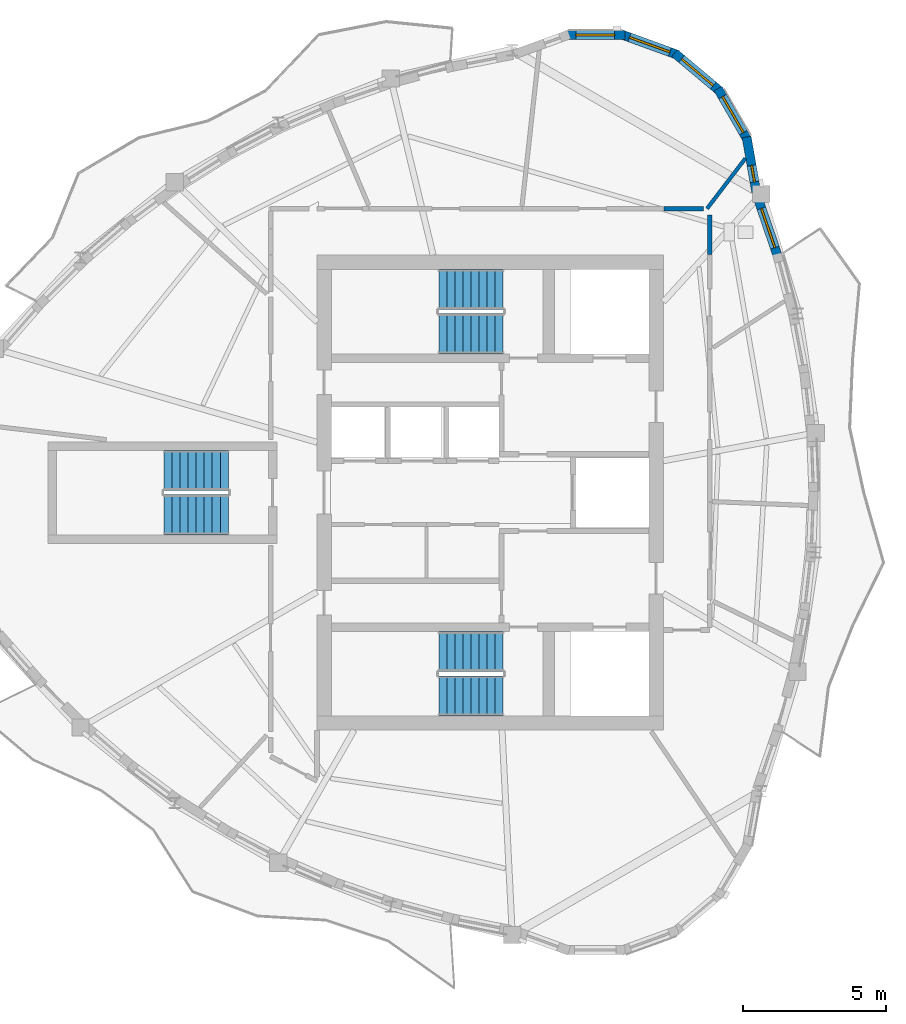
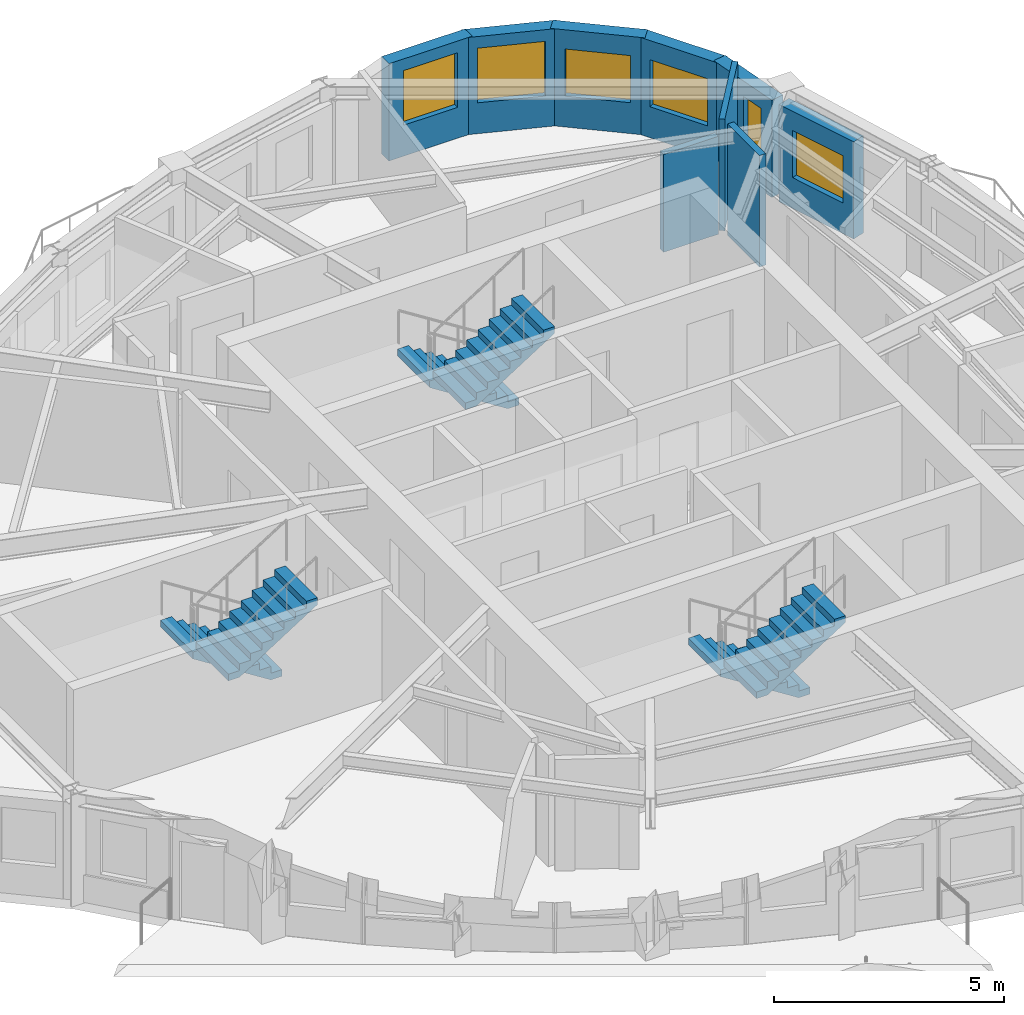
# One storey, part 7 of 11: 9 walls, 6 stair flights, 6 windows, 6 openings, 3 elements without a shape of their own.
"""IFC4 building model written with IfcOpenShell, lengths in metres."""

import ifcopenshell
import ifcopenshell.guid

model = None  # the IFC model being written
_history = None  # IfcOwnerHistory: only IFC2X3 demands one
_inside = {}  # id of a spatial element -> (the spatial element, [elements in it])
_under = {}  # id of a project, library or spatial element -> (it, [spatial elements below it])
_declared = {}  # id of a project -> (the project, [libraries it declares])
_typed = {}  # id of a type object -> (the type object, [elements of that type])
_made_of = {}  # id of a material, layer set ... -> (it, [elements and type objects made of it])


def new_model(schema):
    """Start an empty IFC model of exactly this schema.

    Asked for "IFC4X3", IfcOpenShell would pick the latest addendum, in which some entities
    have other attributes; the version numbers below select the first issue.
    IFC2X3 requires an IfcOwnerHistory on every rooted entity: one is made here for all.
    """
    global model, _history
    if schema == "IFC4X3":
        model = ifcopenshell.file(schema_version=(4, 3, 0, 0))
    else:
        model = ifcopenshell.file(schema=schema)
    _inside.clear()
    _under.clear()
    _declared.clear()
    _typed.clear()
    _made_of.clear()
    _history = None
    if model.schema == "IFC2X3":
        org = make("IfcOrganization", Name="unknown")
        user = make(
            "IfcPersonAndOrganization",
            ThePerson=make("IfcPerson", FamilyName="unknown"),
            TheOrganization=org,
        )
        app = make(
            "IfcApplication",
            ApplicationDeveloper=org,
            Version="unknown",
            ApplicationFullName="unknown",
            ApplicationIdentifier="unknown",
        )
        _history = make(
            "IfcOwnerHistory",
            OwningUser=user,
            OwningApplication=app,
            ChangeAction="ADDED",
            CreationDate=0,
        )
    return model


def make(cls, **values):
    """One entity of the class cls with the attributes given. An attribute that is None is left unset."""
    return model.create_entity(
        cls, **{name: value for name, value in values.items() if value is not None}
    )


def rooted(cls, **values):
    """An entity with a GlobalId (a new one), such as an element, a storey or a relation."""
    return make(cls, GlobalId=ifcopenshell.guid.new(), OwnerHistory=_history, **values)


def si_unit(unit_type, name, prefix=None):
    """IfcSIUnit, for example si_unit("LENGTHUNIT", "METRE", prefix="MILLI")."""
    return make("IfcSIUnit", UnitType=unit_type, Prefix=prefix, Name=name)


def assignment(units):
    """IfcUnitAssignment: the units of a project."""
    return None if units is None else make("IfcUnitAssignment", Units=units)


def point(xyz):
    """IfcCartesianPoint."""
    return None if xyz is None else make("IfcCartesianPoint", Coordinates=xyz)


def direction(xyz):
    """IfcDirection."""
    return None if xyz is None else make("IfcDirection", DirectionRatios=xyz)


def frame(location, z_axis=None, x_axis=None):
    """IfcAxis2Placement3D, a coordinate frame: its origin and axes. An axis left out is left unset."""
    return make(
        "IfcAxis2Placement3D",
        Location=point(location),
        Axis=direction(z_axis),
        RefDirection=direction(x_axis),
    )


def frame_2d(location, x_axis=None):
    """IfcAxis2Placement2D, a coordinate frame in the plane: its origin and x axis."""
    return make(
        "IfcAxis2Placement2D", Location=point(location), RefDirection=direction(x_axis)
    )


def origin():
    """The frame at (0, 0, 0) with its axes left unset."""
    return frame((0.0, 0.0, 0.0))


def place(relative_to, where):
    """IfcLocalPlacement: puts the frame where relative to a parent placement (None: the world)."""
    return make(
        "IfcLocalPlacement", PlacementRelTo=relative_to, RelativePlacement=where
    )


def context(
    kind, dimensions, precision=None, world=None, true_north=None, identifier=None
):
    """IfcGeometricRepresentationContext, for example the 3D "Model" context."""
    return make(
        "IfcGeometricRepresentationContext",
        ContextIdentifier=identifier,
        ContextType=kind,
        CoordinateSpaceDimension=dimensions,
        Precision=precision,
        WorldCoordinateSystem=world,
        TrueNorth=true_north,
    )


def subcontext(parent, identifier, kind, view, scale=None):
    """IfcGeometricRepresentationSubContext, for example "Body" below "Model"."""
    return make(
        "IfcGeometricRepresentationSubContext",
        ContextIdentifier=identifier,
        ContextType=kind,
        ParentContext=parent,
        TargetScale=scale,
        TargetView=view,
    )


def project(units=None, contexts=None):
    """IfcProject with its units and contexts."""
    return rooted(
        "IfcProject",
        Name="project",
        RepresentationContexts=contexts,
        UnitsInContext=assignment(units),
    )


def spatial(cls, under=None, at=None, **own):
    """A site, building, storey or space (cls), placed at a placement, below another one or the project."""
    s = rooted(cls, ObjectPlacement=at, **own)
    if under is not None:
        _under.setdefault(under.id(), (under, []))[1].append(s)
    return s


def polyline(points):
    """IfcPolyline through the points."""
    return make("IfcPolyline", Points=[point(p) for p in points])


def profile(cls, at=None, kind="AREA", **sizes):
    """A parametric profile (cls). Its sizes go by their IFC names, for example OverallWidth=200.0."""
    return make(cls, ProfileType=kind, Position=at, **sizes)


def rectangle(**sizes):
    """IfcRectangleProfileDef."""
    return profile("IfcRectangleProfileDef", **sizes)


def outline(outer, holes=None, kind="AREA"):
    """IfcArbitraryClosedProfileDef: a profile drawn as a closed curve; with holes, ...WithVoids."""
    if holes is None:
        return make("IfcArbitraryClosedProfileDef", ProfileType=kind, OuterCurve=outer)
    return make(
        "IfcArbitraryProfileDefWithVoids",
        ProfileType=kind,
        OuterCurve=outer,
        InnerCurves=holes,
    )


def extrude(swept, where, along, depth):
    """IfcExtrudedAreaSolid: the profile swept, set in the frame where, extruded along a direction by depth."""
    return make(
        "IfcExtrudedAreaSolid",
        SweptArea=swept,
        Position=where,
        ExtrudedDirection=direction(along),
        Depth=depth,
    )


def shape(context_of_items, identifier, shape_type, items):
    """IfcShapeRepresentation: the items that make up one representation, for example the "Body"."""
    return make(
        "IfcShapeRepresentation",
        ContextOfItems=context_of_items,
        RepresentationIdentifier=identifier,
        RepresentationType=shape_type,
        Items=items,
    )


def source(mapping_origin, context_of_items, identifier, shape_type, items):
    """IfcRepresentationMap: a shape defined once, which mapped items show again and again."""
    return make(
        "IfcRepresentationMap",
        MappingOrigin=mapping_origin,
        MappedRepresentation=shape(context_of_items, identifier, shape_type, items),
    )


def transform(
    local_origin,
    x_axis=None,
    y_axis=None,
    z_axis=None,
    scale=None,
    scale2=None,
    scale3=None,
    uniform=True,
):
    """IfcCartesianTransformationOperator3D, or its non-uniform kind. x_axis, y_axis, z_axis: its Axis1, 2, 3."""
    if uniform:
        return make(
            "IfcCartesianTransformationOperator3D",
            Axis1=direction(x_axis),
            Axis2=direction(y_axis),
            LocalOrigin=point(local_origin),
            Scale=scale,
            Axis3=direction(z_axis),
        )
    return make(
        "IfcCartesianTransformationOperator3DnonUniform",
        Axis1=direction(x_axis),
        Axis2=direction(y_axis),
        LocalOrigin=point(local_origin),
        Scale=scale,
        Axis3=direction(z_axis),
        Scale2=scale2,
        Scale3=scale3,
    )


def mapped(mapping_source, mapping_target):
    """IfcMappedItem: shows the shape of a source again, moved by a transform."""
    return make(
        "IfcMappedItem", MappingSource=mapping_source, MappingTarget=mapping_target
    )


def material(Name=None, Category=None):
    """IfcMaterial."""
    return make("IfcMaterial", Name=Name, Category=Category)


def layer(
    of_material, thickness, ventilated=None, Name=None, Category=None, Priority=None
):
    """IfcMaterialLayer: one layer of a wall or slab, of a material (None: an air gap)."""
    return make(
        "IfcMaterialLayer",
        Material=of_material,
        LayerThickness=thickness,
        IsVentilated=ventilated,
        Name=Name,
        Category=Category,
        Priority=Priority,
    )


def layer_set(layers, Name=None):
    """IfcMaterialLayerSet."""
    return make("IfcMaterialLayerSet", MaterialLayers=layers, LayerSetName=Name)


def made_of(thing, what):
    """Note that an element or type object is made of a material, layer set ...; save() writes the relation."""
    if what is not None:
        _made_of.setdefault(what.id(), (what, []))[1].append(thing)
    return thing


def type_object(cls, material=None, **own):
    """A type object (cls), such as IfcWallType, which elements share."""
    return made_of(rooted(cls, **own), material)


def element(
    cls,
    number,
    at=None,
    inside=None,
    cuts=None,
    type_object=None,
    material=None,
    context=None,
    identifier="Body",
    shape_type=None,
    held_by="IfcProductDefinitionShape",
    body=None,
    shapes=None,
    **own,
):
    """One element of the class cls, such as IfcWall. Its Tag is "e" and its number.

    at: its placement. inside: the storey or other place that contains it. cuts: it is an
    opening in that element (IfcRelVoidsElement). A single representation is given by context,
    identifier, shape_type and body (its items); several are given by shapes. held_by: the class
    of the entity that holds the representations. save() writes the other relations.
    """
    e = rooted(cls, Tag="e%d" % number, ObjectPlacement=at, **own)
    if body is not None:
        shapes = [shape(context, identifier, shape_type, body)]
    if shapes is not None:
        e.Representation = make(held_by, Representations=shapes)
    if inside is not None:
        _inside.setdefault(inside.id(), (inside, []))[1].append(e)
    if cuts is not None:
        rooted(
            "IfcRelVoidsElement", RelatingBuildingElement=cuts, RelatedOpeningElement=e
        )
    if type_object is not None:
        _typed.setdefault(type_object.id(), (type_object, []))[1].append(e)
    return made_of(e, material)


def fill(opening, filler):
    """IfcRelFillsElement: the door or window that sits in an opening."""
    return rooted(
        "IfcRelFillsElement",
        RelatingOpeningElement=opening,
        RelatedBuildingElement=filler,
    )


def aggregate(whole, parts):
    """IfcRelAggregates: a whole, such as a stair, and the parts it consists of."""
    return rooted("IfcRelAggregates", RelatingObject=whole, RelatedObjects=parts)


def save(model, path):
    """Write the relations noted so far, then the file.

    IfcRelAggregates (storeys below a building ...), IfcRelContainedInSpatialStructure (elements
    in a storey), IfcRelDefinesByType, IfcRelAssociatesMaterial and IfcRelDeclares: one each for
    every whole, place, type object, material and project.
    """
    for whole, parts in _under.values():
        aggregate(whole, parts)
    for where, things in _inside.values():
        rooted(
            "IfcRelContainedInSpatialStructure",
            RelatedElements=things,
            RelatingStructure=where,
        )
    for kind, things in _typed.values():
        rooted("IfcRelDefinesByType", RelatedObjects=things, RelatingType=kind)
    for what, things in _made_of.values():
        rooted("IfcRelAssociatesMaterial", RelatedObjects=things, RelatingMaterial=what)
    for by, libraries in _declared.values():
        rooted("IfcRelDeclares", RelatingContext=by, RelatedDefinitions=libraries)
    model.write(path)


model = new_model("IFC4")

# Units and contexts
model_context = context("Model", 3, precision=1e-05, world=origin(), true_north=direction((0.0, 1.0)))
body_context = subcontext(model_context, "Body", "Model", "MODEL_VIEW")
ifc_project = project(units=[si_unit("LENGTHUNIT", "METRE"), si_unit("AREAUNIT", "SQUARE_METRE"), si_unit("VOLUMEUNIT", "CUBIC_METRE"), si_unit("PLANEANGLEUNIT", "RADIAN"), si_unit("MASSUNIT", "GRAM", prefix="KILO")], contexts=[model_context])

# Site, building, storey
site_placement = place(None, origin())
site = spatial("IfcSite", under=ifc_project, at=site_placement, CompositionType="ELEMENT")
building_placement = place(site_placement, origin())
building = spatial("IfcBuilding", under=site, at=building_placement, Name="Qafzar Sky-Pleat Residences", CompositionType="ELEMENT")
storey_placement = place(building_placement, frame((0.0, 0.0, 230.800048828125)))
storey = spatial("IfcBuildingStorey", under=building, at=storey_placement, Name="L69", CompositionType="ELEMENT", Elevation=230.800048828125)

# Walls
ifc_material_1 = material(Name="Acoustic gypsum plasterboard partition", Category="gypsum")
ifc_layer_1 = layer(ifc_material_1, 0.159912109375)
ifc_layer_set_1 = layer_set([ifc_layer_1], Name="Acoustic gypsum plasterboard partition")
wall_type_1 = type_object("IfcWallType", Name="PART-COR-160", PredefinedType="PARTITIONING", material=ifc_layer_set_1)
wall_1_placement = place(storey_placement, frame((38.02001953125, 34.31494140625, 0.0), z_axis=(0.0, 0.0, 1.0), x_axis=(0.0, 1.0, 0.0)))
element("IfcWall", 1, at=wall_1_placement, inside=storey, type_object=wall_type_1, Name="L69 Partition Wall PART-L69-PW-022", PredefinedType="PARTITIONING", context=body_context, shape_type="SweptSolid", body=[
    extrude(rectangle(XDim=1.38525390625, YDim=0.159912109375, at=frame_2d((0.692626953125, 0.0))), origin(), (0.0, 0.0, 1.0), 2.9599609375),
])
wall_2_placement = place(storey_placement, frame((36.4150390625, 35.919921875, 0.0), z_axis=(0.0, 0.0, 1.0), x_axis=(1.0, 0.0, 0.0)))
element("IfcWall", 2, at=wall_2_placement, inside=storey, type_object=wall_type_1, Name="L69 Partition Wall PART-L69-PW-023", PredefinedType="PARTITIONING", context=body_context, shape_type="SweptSolid", body=[
    extrude(rectangle(XDim=1.379150390625, YDim=0.159912109375, at=frame_2d((0.689453125, 0.0))), origin(), (0.0, 0.0, 1.0), 2.597900390625),
])
ifc_material_2 = material(Name="Moisture-resistant gypsum partition", Category="gypsum")
ifc_layer_2 = layer(ifc_material_2, 0.1298828125)
ifc_layer_set_2 = layer_set([ifc_layer_2], Name="Moisture-resistant gypsum partition")
wall_type_2 = type_object("IfcWallType", Name="PART-WET-130", PredefinedType="PARTITIONING", material=ifc_layer_set_2)
wall_3_placement = place(storey_placement, frame((37.926025390625, 35.919921875, 0.0), z_axis=(0.0, 0.0, 1.0), x_axis=(0.606987113509, 0.794711673523, 0.0)))
element("IfcWall", 3, at=wall_3_placement, inside=storey, type_object=wall_type_2, Name="L69 Partition Wall PART-L69-PW-020", PredefinedType="PARTITIONING", context=body_context, shape_type="SweptSolid", body=[
    extrude(rectangle(XDim=2.212158203125, YDim=0.1298828125, at=frame_2d((1.10595703125, 0.0))), origin(), (0.0, 0.0, 1.0), 2.9599609375),
])

# Wall, opening, window
ifc_material_3 = material(Name="Precast concrete C40/50 with honed Riyadh limestone", Category="concrete")
ifc_layer_3 = layer(ifc_material_3, 0.320068359375)
ifc_layer_set_3 = layer_set([ifc_layer_3], Name="Precast concrete C40/50 with honed Riyadh limestone")
wall_type_3 = type_object("IfcWallType", Name="WALL-EXT-320", PredefinedType="SOLIDWALL", material=ifc_layer_set_3)
wall_4_placement = place(storey_placement, frame((40.39697265625, 34.25732421875, 0.0), z_axis=(0.0, 0.0, 1.0), x_axis=(-0.323634249216, 0.9461822619, 0.0)))
wall_4 = element("IfcWall", 4, at=wall_4_placement, inside=storey, type_object=wall_type_3, Name="L69 Limestone Facade Wall 32", PredefinedType="SOLIDWALL", context=body_context, shape_type="SweptSolid", body=[
    extrude(rectangle(XDim=2.153076171875, YDim=0.320068359375, at=frame_2d((1.07666015625, 0.0))), origin(), (0.0, 0.0, 1.0), 2.579833984375),
])
opening_1_placement = place(wall_4_placement, frame((0.31640625, 0.0, 0.820068359375)))
opening_1 = element("IfcOpeningElement", 5, at=opening_1_placement, cuts=wall_4, Name="Opening WN-15", PredefinedType="OPENING", context=body_context, shape_type="SweptSolid", body=[
    extrude(rectangle(XDim=1.449951171875, YDim=1.25, at=frame_2d((0.72509765625, 0.625))), frame((0.0, 0.169921875, 0.0), z_axis=(0.0, -1.0, 0.0), x_axis=(1.0, 0.0, 0.0)), (0.0, 0.0, 1.0), 0.340087890625),
])
ifc_material_4 = material(Name="Solar-control low-E glass in bronze aluminium frame", Category="glass")
window_type_1 = type_object("IfcWindowType", Name="WIN-15", PartitioningType="SINGLE_PANEL", PredefinedType="WINDOW", material=ifc_material_4)
shared_shape_1 = source(origin(), body_context, "Body", "SweptSolid", [
    extrude(rectangle(XDim=1.449951171875, YDim=1.25, at=frame_2d((0.72509765625, 0.625))), frame((0.0, 0.030029296875, 0.0), z_axis=(0.0, -1.0, 0.0), x_axis=(1.0, 0.0, 0.0)), (0.0, 0.0, 1.0), 0.06005859375),
])
window_1_placement = place(opening_1_placement, origin())
window_1 = element("IfcWindow", 6, at=window_1_placement, inside=storey, type_object=window_type_1, Name="L69 Punched Facade Window 32", OverallHeight=1.25, OverallWidth=1.449951171875, PartitioningType="SINGLE_PANEL", PredefinedType="WINDOW", context=body_context, shape_type="MappedRepresentation", body=[
    mapped(shared_shape_1, transform((0.0, 0.0, 0.0), x_axis=(1.0, 0.0, 0.0), y_axis=(0.0, 1.0, 0.0), z_axis=(0.0, 0.0, 1.0), scale=1.0)),
])
fill(opening_1, window_1)

wall_5_placement = place(storey_placement, frame((39.6494140625, 36.4921875, 0.0), z_axis=(0.0, 0.0, 1.0), x_axis=(-0.173693060482, 0.984799837906, 0.0)))
wall_5 = element("IfcWall", 7, at=wall_5_placement, inside=storey, type_object=wall_type_3, Name="L69 Limestone Facade Wall 33", PredefinedType="SOLIDWALL", context=body_context, shape_type="SweptSolid", body=[
    extrude(rectangle(XDim=1.962158203125, YDim=0.320068359375, at=frame_2d((0.98095703125, 0.0))), origin(), (0.0, 0.0, 1.0), 2.579833984375),
])
opening_2_placement = place(wall_5_placement, frame((0.37060546875, 0.0, 0.820068359375)))
opening_2 = element("IfcOpeningElement", 8, at=opening_2_placement, cuts=wall_5, Name="Opening WN-17", PredefinedType="OPENING", context=body_context, shape_type="SweptSolid", body=[
    extrude(rectangle(XDim=0.580078125, YDim=1.35009765625, at=frame_2d((0.2900390625, 0.675048828125))), frame((0.0, 0.169921875, 0.0), z_axis=(0.0, -1.0, 0.0), x_axis=(1.0, 0.0, 0.0)), (0.0, 0.0, 1.0), 0.340087890625),
])
window_type_2 = type_object("IfcWindowType", Name="WIN-17", PartitioningType="SINGLE_PANEL", PredefinedType="WINDOW", material=ifc_material_4)
shared_shape_2 = source(origin(), body_context, "Body", "SweptSolid", [
    extrude(rectangle(XDim=0.580078125, YDim=1.35009765625, at=frame_2d((0.2900390625, 0.675048828125))), frame((0.0, 0.030029296875, 0.0), z_axis=(0.0, -1.0, 0.0), x_axis=(1.0, 0.0, 0.0)), (0.0, 0.0, 1.0), 0.06005859375),
])
window_2_placement = place(opening_2_placement, origin())
window_2 = element("IfcWindow", 9, at=window_2_placement, inside=storey, type_object=window_type_2, Name="L69 Punched Facade Window 33", OverallHeight=1.35009765625, OverallWidth=0.580078125, PartitioningType="SINGLE_PANEL", PredefinedType="WINDOW", context=body_context, shape_type="MappedRepresentation", body=[
    mapped(shared_shape_2, transform((0.0, 0.0, 0.0), x_axis=(1.0, 0.0, 0.0), y_axis=(0.0, 1.0, 0.0), z_axis=(0.0, 0.0, 1.0), scale=1.0)),
])
fill(opening_2, window_2)

wall_6_placement = place(storey_placement, frame((39.35302734375, 38.302001953125, 0.0), z_axis=(0.0, 0.0, 1.0), x_axis=(-0.49990781971, 0.866078617559, 0.0)))
wall_6 = element("IfcWall", 10, at=wall_6_placement, inside=storey, type_object=wall_type_3, Name="L69 Limestone Facade Wall 34", PredefinedType="SOLIDWALL", context=body_context, shape_type="SweptSolid", body=[
    extrude(rectangle(XDim=2.09033203125, YDim=0.320068359375, at=frame_2d((1.045166015625, 0.0))), origin(), (0.0, 0.0, 1.0), 2.579833984375),
])
opening_3_placement = place(wall_6_placement, frame((0.320068359375, 0.0, 0.820068359375)))
opening_3 = element("IfcOpeningElement", 11, at=opening_3_placement, cuts=wall_6, Name="Opening WN-15", PredefinedType="OPENING", context=body_context, shape_type="SweptSolid", body=[
    extrude(rectangle(XDim=1.449951171875, YDim=1.25, at=frame_2d((0.72509765625, 0.625))), frame((0.0, 0.169921875, 0.0), z_axis=(0.0, -1.0, 0.0), x_axis=(1.0, 0.0, 0.0)), (0.0, 0.0, 1.0), 0.340087890625),
])
window_3_placement = place(opening_3_placement, origin())
window_3 = element("IfcWindow", 12, at=window_3_placement, inside=storey, type_object=window_type_1, Name="L69 Punched Facade Window 34", OverallHeight=1.25, OverallWidth=1.449951171875, PartitioningType="SINGLE_PANEL", PredefinedType="WINDOW", context=body_context, shape_type="MappedRepresentation", body=[
    mapped(shared_shape_1, transform((0.0, 0.0, 0.0), x_axis=(1.0, 0.0, 0.0), y_axis=(0.0, 1.0, 0.0), z_axis=(0.0, 0.0, 1.0), scale=1.0)),
])
fill(opening_3, window_3)

wall_7_placement = place(storey_placement, frame((38.391845703125, 40.012451171875, 0.0), z_axis=(0.0, 0.0, 1.0), x_axis=(-0.766024572719, 0.642811289563, 0.0)))
wall_7 = element("IfcWall", 13, at=wall_7_placement, inside=storey, type_object=wall_type_3, Name="L69 Limestone Facade Wall 35", PredefinedType="SOLIDWALL", context=body_context, shape_type="SweptSolid", body=[
    extrude(rectangle(XDim=2.09033203125, YDim=0.320068359375, at=frame_2d((1.045166015625, 0.0))), origin(), (0.0, 0.0, 1.0), 2.579833984375),
])
opening_4_placement = place(wall_7_placement, frame((0.3203125, 0.0, 0.820068359375)))
opening_4 = element("IfcOpeningElement", 14, at=opening_4_placement, cuts=wall_7, Name="Opening WN-15", PredefinedType="OPENING", context=body_context, shape_type="SweptSolid", body=[
    extrude(rectangle(XDim=1.449951171875, YDim=1.25, at=frame_2d((0.72509765625, 0.625))), frame((0.0, 0.169921875, 0.0), z_axis=(0.0, -1.0, 0.0), x_axis=(1.0, 0.0, 0.0)), (0.0, 0.0, 1.0), 0.340087890625),
])
window_4_placement = place(opening_4_placement, origin())
window_4 = element("IfcWindow", 15, at=window_4_placement, inside=storey, type_object=window_type_1, Name="L69 Punched Facade Window 35", OverallHeight=1.25, OverallWidth=1.449951171875, PartitioningType="SINGLE_PANEL", PredefinedType="WINDOW", context=body_context, shape_type="MappedRepresentation", body=[
    mapped(shared_shape_1, transform((0.0, 0.0, 0.0), x_axis=(1.0, 0.0, 0.0), y_axis=(0.0, 1.0, 0.0), z_axis=(0.0, 0.0, 1.0), scale=1.0)),
])
fill(opening_4, window_4)

wall_8_placement = place(storey_placement, frame((36.903564453125, 41.291015625, 0.0), z_axis=(0.0, 0.0, 1.0), x_axis=(-0.939711556618, 0.341968113072, 0.0)))
wall_8 = element("IfcWall", 16, at=wall_8_placement, inside=storey, type_object=wall_type_3, Name="L69 Limestone Facade Wall 36", PredefinedType="SOLIDWALL", context=body_context, shape_type="SweptSolid", body=[
    extrude(rectangle(XDim=2.09033203125, YDim=0.320068359375, at=frame_2d((1.045166015625, 0.0))), origin(), (0.0, 0.0, 1.0), 2.579833984375),
])
opening_5_placement = place(wall_8_placement, frame((0.295166015625, 0.0, 0.820068359375)))
opening_5 = element("IfcOpeningElement", 17, at=opening_5_placement, cuts=wall_8, Name="Opening WN-03", PredefinedType="OPENING", context=body_context, shape_type="SweptSolid", body=[
    extrude(rectangle(XDim=1.5, YDim=1.449951171875, at=frame_2d((0.75, 0.72509765625))), frame((0.0, 0.169921875, 0.0), z_axis=(0.0, -1.0, 0.0), x_axis=(1.0, 0.0, 0.0)), (0.0, 0.0, 1.0), 0.340087890625),
])
window_type_3 = type_object("IfcWindowType", Name="WIN-03", PartitioningType="DOUBLE_PANEL_VERTICAL", PredefinedType="WINDOW", material=ifc_material_4)
shared_shape_3 = source(origin(), body_context, "Body", "SweptSolid", [
    extrude(rectangle(XDim=1.5, YDim=1.449951171875, at=frame_2d((0.75, 0.72509765625))), frame((0.0, 0.030029296875, 0.0), z_axis=(0.0, -1.0, 0.0), x_axis=(1.0, 0.0, 0.0)), (0.0, 0.0, 1.0), 0.06005859375),
])
window_5_placement = place(opening_5_placement, origin())
window_5 = element("IfcWindow", 18, at=window_5_placement, inside=storey, type_object=window_type_3, Name="L69 Punched Facade Window 36", OverallHeight=1.449951171875, OverallWidth=1.5, PartitioningType="SINGLE_PANEL", PredefinedType="WINDOW", context=body_context, shape_type="MappedRepresentation", body=[
    mapped(shared_shape_3, transform((0.0, 0.0, 0.0), x_axis=(1.0, 0.0, 0.0), y_axis=(0.0, 1.0, 0.0), z_axis=(0.0, 0.0, 1.0), scale=1.0)),
])
fill(opening_5, window_5)

wall_9_placement = place(storey_placement, frame((35.067626953125, 41.983154296875, 0.0), z_axis=(0.0, 0.0, 1.0), x_axis=(-1.0, 0.0, 0.0)))
wall_9 = element("IfcWall", 19, at=wall_9_placement, inside=storey, type_object=wall_type_3, Name="L69 Limestone Facade Wall 37", PredefinedType="SOLIDWALL", context=body_context, shape_type="SweptSolid", body=[
    extrude(rectangle(XDim=2.09033203125, YDim=0.320068359375, at=frame_2d((1.045166015625, 0.0))), origin(), (0.0, 0.0, 1.0), 2.579833984375),
])
opening_6_placement = place(wall_9_placement, frame((0.3701171875, 0.0, 0.820068359375)))
opening_6 = element("IfcOpeningElement", 20, at=opening_6_placement, cuts=wall_9, Name="Opening WN-04", PredefinedType="OPENING", context=body_context, shape_type="SweptSolid", body=[
    extrude(rectangle(XDim=1.35009765625, YDim=1.449951171875, at=frame_2d((0.675048828125, 0.72509765625))), frame((0.0, 0.169921875, 0.0), z_axis=(0.0, -1.0, 0.0), x_axis=(1.0, 0.0, 0.0)), (0.0, 0.0, 1.0), 0.340087890625),
])
window_type_4 = type_object("IfcWindowType", Name="WIN-04", PartitioningType="SINGLE_PANEL", PredefinedType="WINDOW", material=ifc_material_4)
shared_shape_4 = source(origin(), body_context, "Body", "SweptSolid", [
    extrude(rectangle(XDim=1.35009765625, YDim=1.449951171875, at=frame_2d((0.675048828125, 0.72509765625))), frame((0.0, 0.030029296875, 0.0), z_axis=(0.0, -1.0, 0.0), x_axis=(1.0, 0.0, 0.0)), (0.0, 0.0, 1.0), 0.06005859375),
])
window_6_placement = place(opening_6_placement, origin())
window_6 = element("IfcWindow", 21, at=window_6_placement, inside=storey, type_object=window_type_4, Name="L69 Punched Facade Window 37", OverallHeight=1.449951171875, OverallWidth=1.35009765625, PartitioningType="SINGLE_PANEL", PredefinedType="WINDOW", context=body_context, shape_type="MappedRepresentation", body=[
    mapped(shared_shape_4, transform((0.0, 0.0, 0.0), x_axis=(1.0, 0.0, 0.0), y_axis=(0.0, 1.0, 0.0), z_axis=(0.0, 0.0, 1.0), scale=1.0)),
])
fill(opening_6, window_6)

# Stair, stair flights
ifc_material_5 = material(Name="Concrete C40/50", Category="concrete")
stair_type = type_object("IfcStairType", Name="STAIR-H320", PredefinedType="HALF_TURN_STAIR", material=ifc_material_5)
stair_1_placement = place(storey_placement, origin())
stair_1 = element("IfcStair", 22, at=stair_1_placement, inside=storey, type_object=stair_type, Name="L69 Protected Exit Stair ST1", PredefinedType="HALF_TURN_STAIR")
stair_flight_type = type_object("IfcStairFlightType", Name="FLIGHT-H320", PredefinedType="STRAIGHT", material=ifc_material_5)
shared_shape_5 = source(origin(), body_context, "Body", "SweptSolid", [
    extrude(outline(polyline([(0.0, 0.0), (0.0, 0.177734375), (0.280029296875, 0.177734375), (0.280029296875, 0.35546875), (0.56005859375, 0.35546875), (0.56005859375, 0.533447265625), (0.840087890625, 0.533447265625), (0.840087890625, 0.711181640625), (1.1201171875, 0.711181640625), (1.1201171875, 0.888916015625), (1.39990234375, 0.888916015625), (1.39990234375, 1.066650390625), (1.679931640625, 1.066650390625), (1.679931640625, 1.244384765625), (1.9599609375, 1.244384765625), (1.9599609375, 1.422119140625), (2.239990234375, 1.422119140625), (2.239990234375, 1.60009765625), (2.239990234375, 1.24462890625), (0.27978515625, 0.0), (0.0, 0.0)])), frame((0.0, 0.699951171875, 0.0), z_axis=(0.0, -1.0, 0.0), x_axis=(1.0, 0.0, 0.0)), (0.0, 0.0, 1.0), 1.39990234375),
])
stair_flight_1_placement = place(storey_placement, frame((30.800048828125, 20.449951171875, 0.0), z_axis=(0.0, 0.0, 1.0), x_axis=(-1.0, 0.0, 0.0)))
stair_flight_1 = element("IfcStairFlight", 23, at=stair_flight_1_placement, type_object=stair_flight_type, Name="ST1 flight 1", NumberOfRisers=9, NumberOfTreads=8, PredefinedType="STRAIGHT", RiserHeight=0.177777778, TreadLength=0.28, context=body_context, shape_type="MappedRepresentation", body=[
    mapped(shared_shape_5, transform((0.0, 0.0, 0.0), x_axis=(1.0, 0.0, 0.0), y_axis=(0.0, 1.0, 0.0), z_axis=(0.0, 0.0, 1.0), scale=1.0)),
])
stair_flight_2_placement = place(storey_placement, frame((28.56005859375, 18.89990234375, 1.599853515625), z_axis=(0.0, 0.0, 1.0), x_axis=(1.0, 0.0, 0.0)))
stair_flight_2 = element("IfcStairFlight", 24, at=stair_flight_2_placement, type_object=stair_flight_type, Name="ST1 flight 2", NumberOfRisers=9, NumberOfTreads=8, PredefinedType="STRAIGHT", RiserHeight=0.177777778, TreadLength=0.28, context=body_context, shape_type="MappedRepresentation", body=[
    mapped(shared_shape_5, transform((0.0, 0.0, 0.0), x_axis=(1.0, 0.0, 0.0), y_axis=(0.0, 1.0, 0.0), z_axis=(0.0, 0.0, 1.0), scale=1.0)),
])
aggregate(stair_1, [stair_flight_1, stair_flight_2])

stair_2_placement = place(storey_placement, origin())
stair_2 = element("IfcStair", 25, at=stair_2_placement, inside=storey, type_object=stair_type, Name="L69 Protected Exit Stair ST2", PredefinedType="HALF_TURN_STAIR")
stair_flight_3_placement = place(storey_placement, frame((30.800048828125, 33.10009765625, 0.0), z_axis=(0.0, 0.0, 1.0), x_axis=(-1.0, 0.0, 0.0)))
stair_flight_3 = element("IfcStairFlight", 26, at=stair_flight_3_placement, type_object=stair_flight_type, Name="ST2 flight 1", NumberOfRisers=9, NumberOfTreads=8, PredefinedType="STRAIGHT", RiserHeight=0.177777778, TreadLength=0.28, context=body_context, shape_type="MappedRepresentation", body=[
    mapped(shared_shape_5, transform((0.0, 0.0, 0.0), x_axis=(1.0, 0.0, 0.0), y_axis=(0.0, 1.0, 0.0), z_axis=(0.0, 0.0, 1.0), scale=1.0)),
])
stair_flight_4_placement = place(storey_placement, frame((28.56005859375, 31.550048828125, 1.599853515625), z_axis=(0.0, 0.0, 1.0), x_axis=(1.0, 0.0, 0.0)))
stair_flight_4 = element("IfcStairFlight", 27, at=stair_flight_4_placement, type_object=stair_flight_type, Name="ST2 flight 2", NumberOfRisers=9, NumberOfTreads=8, PredefinedType="STRAIGHT", RiserHeight=0.177777778, TreadLength=0.28, context=body_context, shape_type="MappedRepresentation", body=[
    mapped(shared_shape_5, transform((0.0, 0.0, 0.0), x_axis=(1.0, 0.0, 0.0), y_axis=(0.0, 1.0, 0.0), z_axis=(0.0, 0.0, 1.0), scale=1.0)),
])
aggregate(stair_2, [stair_flight_3, stair_flight_4])

stair_3_placement = place(storey_placement, origin())
stair_3 = element("IfcStair", 28, at=stair_3_placement, inside=storey, type_object=stair_type, Name="L69 Protected Exit Stair ST3", PredefinedType="HALF_TURN_STAIR")
stair_flight_5_placement = place(storey_placement, frame((21.199951171875, 26.77490234375, 0.0), z_axis=(0.0, 0.0, 1.0), x_axis=(-1.0, 0.0, 0.0)))
stair_flight_5 = element("IfcStairFlight", 29, at=stair_flight_5_placement, type_object=stair_flight_type, Name="ST3 flight 1", NumberOfRisers=9, NumberOfTreads=8, PredefinedType="STRAIGHT", RiserHeight=0.177777778, TreadLength=0.28, context=body_context, shape_type="MappedRepresentation", body=[
    mapped(shared_shape_5, transform((0.0, 0.0, 0.0), x_axis=(1.0, 0.0, 0.0), y_axis=(0.0, 1.0, 0.0), z_axis=(0.0, 0.0, 1.0), scale=1.0)),
])
stair_flight_6_placement = place(storey_placement, frame((18.9599609375, 25.22509765625, 1.599853515625), z_axis=(0.0, 0.0, 1.0), x_axis=(1.0, 0.0, 0.0)))
stair_flight_6 = element("IfcStairFlight", 30, at=stair_flight_6_placement, type_object=stair_flight_type, Name="ST3 flight 2", NumberOfRisers=9, NumberOfTreads=8, PredefinedType="STRAIGHT", RiserHeight=0.177777778, TreadLength=0.28, context=body_context, shape_type="MappedRepresentation", body=[
    mapped(shared_shape_5, transform((0.0, 0.0, 0.0), x_axis=(1.0, 0.0, 0.0), y_axis=(0.0, 1.0, 0.0), z_axis=(0.0, 0.0, 1.0), scale=1.0)),
])
aggregate(stair_3, [stair_flight_5, stair_flight_6])

save(model, "model.ifc")
